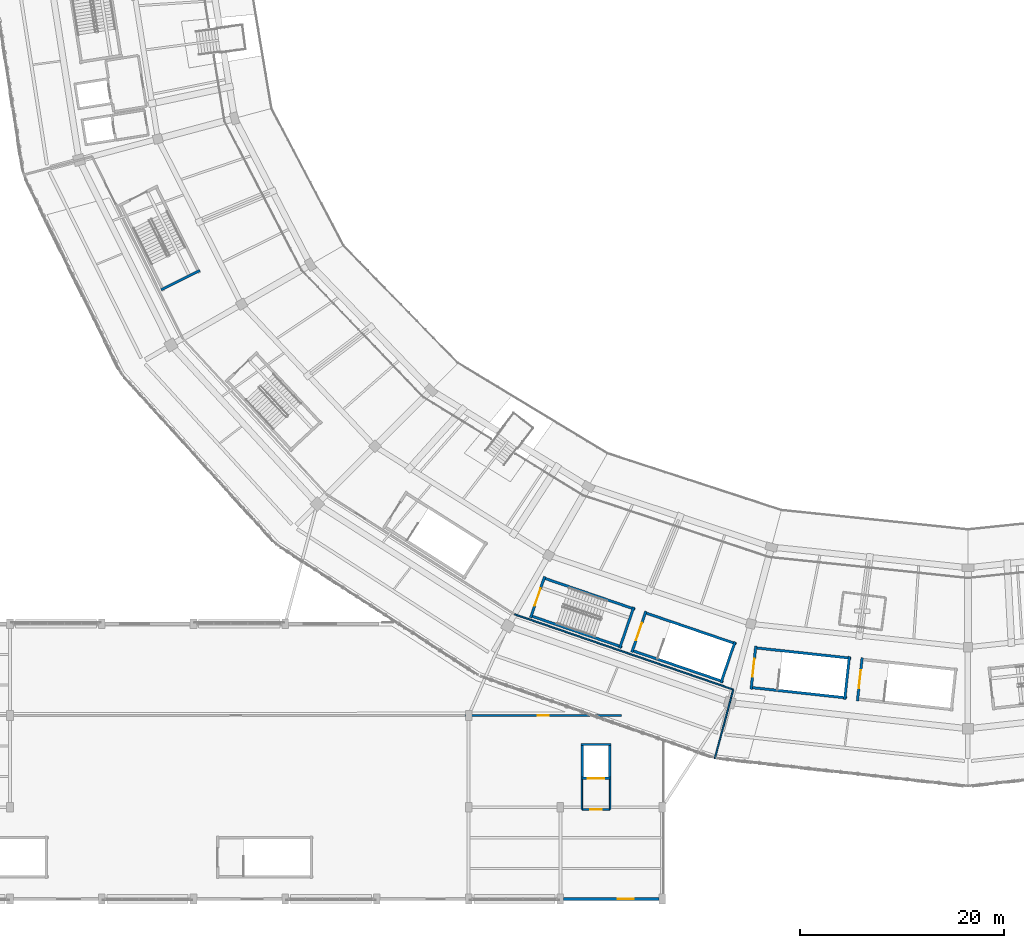
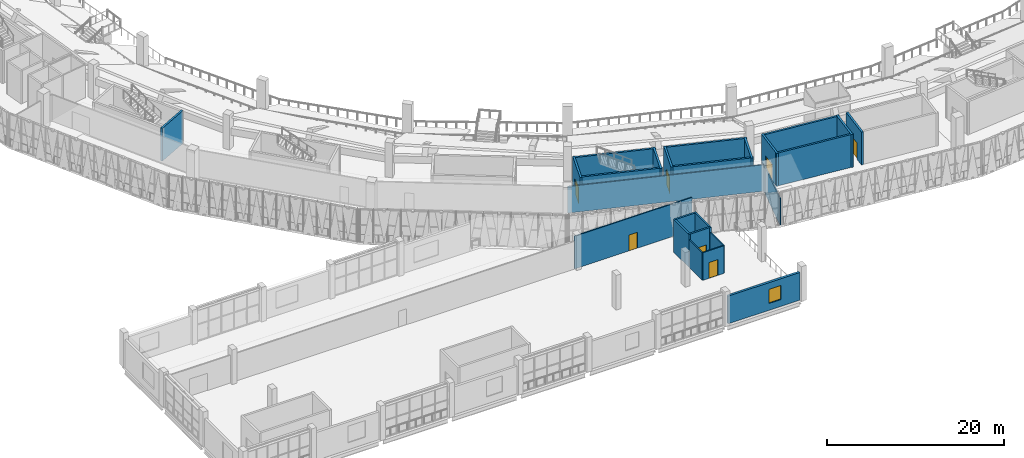
# One storey, part 91 of 152: 26 walls, 7 doors, 1 window, 8 openings.
"""IFC4 building model written with IfcOpenShell, lengths in metres."""

from ifc_helpers import new_model, si_unit, direction, frame, frame_2d, origin, place, context, subcontext, project, spatial, rectangle, extrude, material, layer, layer_set, type_object, element, fill, save


model = new_model("IFC4")

# Units and contexts
model_context = context("Model", 3, precision=1e-05, world=origin(), true_north=direction((0.0, 1.0)))
body_context = subcontext(model_context, "Body", "Model", "MODEL_VIEW")
ifc_project = project(units=[si_unit("LENGTHUNIT", "METRE"), si_unit("AREAUNIT", "SQUARE_METRE"), si_unit("VOLUMEUNIT", "CUBIC_METRE"), si_unit("PLANEANGLEUNIT", "RADIAN"), si_unit("MASSUNIT", "GRAM", prefix="KILO")], contexts=[model_context])

# Site, building, storey
site_placement = place(None, origin())
site = spatial("IfcSite", under=ifc_project, at=site_placement, CompositionType="ELEMENT")
building_placement = place(site_placement, origin())
building = spatial("IfcBuilding", under=site, at=building_placement, Name="Zevraka Park Crest Stadium", CompositionType="ELEMENT")
storey_placement = place(building_placement, frame((0.0, 0.0, 15.0)))
storey = spatial("IfcBuildingStorey", under=building, at=storey_placement, Name="L03", CompositionType="ELEMENT", Elevation=15.0)

# Wall, opening, window
ifc_material_1 = material(Name="Limestone and red clay brick masonry", Category="masonry")
ifc_layer_1 = layer(ifc_material_1, 0.300048828125)
ifc_layer_set_1 = layer_set([ifc_layer_1], Name="Limestone and red clay brick masonry")
wall_type_1 = type_object("IfcWallType", Name="EW02", PredefinedType="STANDARD", material=ifc_layer_set_1)
wall_1_placement = place(storey_placement, frame((81.699951171875, 0.0, 0.0), z_axis=(0.0, 0.0, 1.0), x_axis=(-1.0, 0.0, 0.0)))
wall_1 = element("IfcWall", 1, at=wall_1_placement, inside=storey, type_object=wall_type_1, Name="Wing External Cavity Wall EW02 L03-SW-S3-1", PredefinedType="STANDARD", context=body_context, shape_type="SweptSolid", body=[
    extrude(rectangle(XDim=9.39990234375, YDim=0.300048828125, at=frame_2d((4.699951171875, 0.0))), origin(), (0.0, 0.0, 1.0), 3.823486328125),
])
opening_1_placement = place(wall_1_placement, frame((2.514892578125, 0.0, 0.949951171875)))
opening_1 = element("IfcOpeningElement", 2, at=opening_1_placement, cuts=wall_1, Name="Opening WN32", PredefinedType="OPENING", context=body_context, shape_type="SweptSolid", body=[
    extrude(rectangle(XDim=1.550048828125, YDim=1.949951171875, at=frame_2d((0.77490234375, 0.97509765625))), frame((0.0, 0.159912109375, 0.0), z_axis=(0.0, -1.0, 0.0), x_axis=(1.0, 0.0, 0.0)), (0.0, 0.0, 1.0), 0.320068359375),
])
ifc_material_2 = material(Name="Solar-control laminated double glazing in aluminium frame", Category="aluminium")
window_type = type_object("IfcWindowType", Name="WN32", PartitioningType="SINGLE_PANEL", PredefinedType="WINDOW", material=ifc_material_2)
window_placement = place(opening_1_placement, origin())
window = element("IfcWindow", 3, at=window_placement, inside=storey, type_object=window_type, Name="Facade Casement Window WN32 W-L03-073", OverallHeight=1.949951171875, OverallWidth=1.550048828125, PartitioningType="SINGLE_PANEL", PredefinedType="WINDOW", context=body_context, shape_type="SweptSolid", body=[
    extrude(rectangle(XDim=1.550048828125, YDim=1.949951171875, at=frame_2d((0.77490234375, 0.97509765625))), frame((0.0, 0.030029296875, 0.0), z_axis=(0.0, -1.0, 0.0), x_axis=(1.0, 0.0, 0.0)), (0.0, 0.0, 1.0), 0.06005859375),
])
fill(opening_1, window)

# Walls
ifc_material_3 = material(Name="Fire-rated twin-stud acoustic drywall", Category="other")
ifc_layer_2 = layer(ifc_material_3, 0.159912109375)
ifc_layer_set_2 = layer_set([ifc_layer_2], Name="Fire-rated twin-stud acoustic drywall")
wall_type_2 = type_object("IfcWallType", Name="IW02", PredefinedType="PARTITIONING", material=ifc_layer_set_2)
for number, where, z_axis, x_axis, name in (
    (4, (74.110107421875, 11.75, 0.0), (0.0, 0.0, 1.0), (0.0, -1.0, 0.0), "Goods Lift Lobby Wall IW02 GL02 L03 LEFT"),
    (5, (76.889892578125, 11.75, 0.0), (0.0, 0.0, 1.0), (0.0, -1.0, 0.0), "Goods Lift Lobby Wall IW02 GL02 L03 RIGHT"),
):
    element("IfcWall", number, at=place(storey_placement, frame(where, z_axis=z_axis, x_axis=x_axis)), inside=storey, type_object=wall_type_2, Name=name, PredefinedType="PARTITIONING", context=body_context, shape_type="SweptSolid", body=[
        extrude(rectangle(XDim=2.969970703125, YDim=0.159912109375, at=frame_2d((1.48486328125, 0.0))), origin(), (0.0, 0.0, 1.0), 3.823486328125),
    ])

# Wall, opening, door
wall_2_placement = place(storey_placement, frame((74.110107421875, 8.780029296875, 0.0), z_axis=(0.0, 0.0, 1.0), x_axis=(1.0, 0.0, 0.0)))
wall_2 = element("IfcWall", 6, at=wall_2_placement, inside=storey, type_object=wall_type_2, Name="Goods Lift Lobby Wall IW02 GL02 L03 FRONT", PredefinedType="PARTITIONING", context=body_context, shape_type="SweptSolid", body=[
    extrude(rectangle(XDim=2.77978515625, YDim=0.159912109375, at=frame_2d((1.389892578125, 0.0))), origin(), (0.0, 0.0, 1.0), 3.823486328125),
])
opening_2_placement = place(wall_2_placement, frame((0.81494140625, 0.0, 0.0)))
opening_2 = element("IfcOpeningElement", 7, at=opening_2_placement, cuts=wall_2, Name="Opening D-L03-336", PredefinedType="OPENING", context=body_context, shape_type="SweptSolid", body=[
    extrude(rectangle(XDim=1.14990234375, YDim=2.199951171875, at=frame_2d((0.574951171875, 1.10009765625))), frame((0.0, 0.08984375, 0.0), z_axis=(0.0, -1.0, 0.0), x_axis=(1.0, 0.0, 0.0)), (0.0, 0.0, 1.0), 0.179931640625),
])
ifc_material_4 = material(Name="Solid-core hardwood timber leaf in steel frame", Category="steel")
door_type_1 = type_object("IfcDoorType", Name="DR03", OperationType="NOTDEFINED", PredefinedType="DOOR", material=ifc_material_4)
door_1_placement = place(opening_2_placement, origin())
door_1 = element("IfcDoor", 8, at=door_1_placement, inside=storey, type_object=door_type_1, Name="Goods Lift Lobby GL02 Door D-L03-336", OperationType="SINGLE_SWING_RIGHT", OverallHeight=2.199951171875, OverallWidth=1.14990234375, PredefinedType="DOOR", context=body_context, shape_type="SweptSolid", body=[
    extrude(rectangle(XDim=1.14990234375, YDim=2.199951171875, at=frame_2d((0.574951171875, 1.10009765625))), frame((0.0, 0.02490234375, 0.0), z_axis=(0.0, -1.0, 0.0), x_axis=(1.0, 0.0, 0.0)), (0.0, 0.0, 1.0), 0.050048828125),
])
fill(opening_2, door_1)

# Walls
ifc_material_5 = material(Name="Fire-rated twin-stud acoustic drywall", Category="other")
ifc_layer_3 = layer(ifc_material_5, 0.139892578125)
ifc_layer_set_3 = layer_set([ifc_layer_3], Name="Fire-rated twin-stud acoustic drywall")
wall_type_3 = type_object("IfcWallType", Name="IW03", PredefinedType="PARTITIONING", material=ifc_layer_set_3)
wall_3_placement = place(storey_placement, frame((67.510009765625, 27.930908203125, 0.0), z_axis=(0.0, 0.0, 1.0), x_axis=(0.945509956828, -0.32559318411, 0.0)))
element("IfcWall", 9, at=wall_3_placement, inside=storey, type_object=wall_type_3, Name="Interior Partition IW03 Sensory Inclusion Viewing Lounge L03", PredefinedType="PARTITIONING", context=body_context, shape_type="SweptSolid", body=[
    extrude(rectangle(XDim=22.69677734375, YDim=0.139892578125, at=frame_2d((11.348388671875, 0.0))), origin(), (0.0, 0.0, 1.0), 3.6650390625),
])
wall_4_placement = place(storey_placement, frame((88.969970703125, 20.541015625, 0.0), z_axis=(0.0, 0.0, 1.0), x_axis=(-0.259313795023, -0.965793122626, 0.0)))
element("IfcWall", 10, at=wall_4_placement, inside=storey, type_object=wall_type_3, Name="Interior Partition IW03 Sensory Inclusion Viewing Lounge L03", PredefinedType="PARTITIONING", context=body_context, shape_type="SweptSolid", body=[
    extrude(rectangle(XDim=0.8095703125, YDim=0.139892578125, at=frame_2d((0.40478515625, 0.0))), origin(), (0.0, 0.0, 1.0), 3.6650390625),
])
wall_5_placement = place(storey_placement, frame((88.763916015625, 19.77392578125, 0.0), z_axis=(0.0, 0.0, 1.0), x_axis=(-0.258731511659, -0.965949276554, 0.0)))
element("IfcWall", 11, at=wall_5_placement, inside=storey, type_object=wall_type_3, Name="Interior Partition IW03 Sensory Inclusion Viewing Lounge L03", PredefinedType="PARTITIONING", context=body_context, shape_type="SweptSolid", body=[
    extrude(rectangle(XDim=6.225830078125, YDim=0.139892578125, at=frame_2d((3.11279296875, 0.0))), origin(), (0.0, 0.0, 1.0), 3.6650390625),
])

# Wall, opening, door
ifc_material_6 = material(Name="Fire-rated twin-stud acoustic drywall", Category="other")
ifc_layer_4 = layer(ifc_material_6, 0.14990234375)
ifc_layer_set_4 = layer_set([ifc_layer_4], Name="Fire-rated twin-stud acoustic drywall")
wall_type_4 = type_object("IfcWallType", Name="IW05", PredefinedType="PARTITIONING", material=ifc_layer_set_4)
wall_6_placement = place(storey_placement, frame((62.675048828125, 18.0, 0.0), z_axis=(0.0, 0.0, 1.0), x_axis=(1.0, 0.0, 0.0)))
wall_6 = element("IfcWall", 12, at=wall_6_placement, inside=storey, type_object=wall_type_4, Name="Interior Partition IW05 South Upper Broadcast Production Gallery L03", PredefinedType="PARTITIONING", context=body_context, shape_type="SweptSolid", body=[
    extrude(rectangle(XDim=15.324951171875, YDim=0.14990234375, at=frame_2d((7.66259765625, 0.0))), origin(), (0.0, 0.0, 1.0), 4.52001953125),
])
opening_3_placement = place(wall_6_placement, frame((7.123046875, 0.0, 0.0)))
opening_3 = element("IfcOpeningElement", 13, at=opening_3_placement, cuts=wall_6, Name="Opening D-L03-464", PredefinedType="OPENING", context=body_context, shape_type="SweptSolid", body=[
    extrude(rectangle(XDim=1.080078125, YDim=2.199951171875, at=frame_2d((0.5400390625, 1.10009765625))), frame((0.0, 0.0849609375, 0.0), z_axis=(0.0, -1.0, 0.0), x_axis=(1.0, 0.0, 0.0)), (0.0, 0.0, 1.0), 0.169921875),
])
ifc_material_7 = material(Name="Solid-core hardwood timber leaf in steel frame", Category="steel")
door_type_2 = type_object("IfcDoorType", Name="DR22", OperationType="NOTDEFINED", PredefinedType="DOOR", material=ifc_material_7)
door_2_placement = place(opening_3_placement, origin())
door_2 = element("IfcDoor", 14, at=door_2_placement, inside=storey, type_object=door_type_2, Name="South Upper Broadcast Production Gallery Door D-L03-464", OperationType="SINGLE_SWING_RIGHT", OverallHeight=2.199951171875, OverallWidth=1.080078125, PredefinedType="DOOR", context=body_context, shape_type="SweptSolid", body=[
    extrude(rectangle(XDim=1.080078125, YDim=2.199951171875, at=frame_2d((0.5400390625, 1.10009765625))), frame((0.0, 0.02490234375, 0.0), z_axis=(0.0, -1.0, 0.0), x_axis=(1.0, 0.0, 0.0)), (0.0, 0.0, 1.0), 0.050048828125),
])
fill(opening_3, door_2)

# Walls
ifc_material_8 = material(Name="Concrete C40/50", Category="concrete")
ifc_layer_5 = layer(ifc_material_8, 0.25)
ifc_layer_set_5 = layer_set([ifc_layer_5], Name="Concrete C40/50")
wall_type_5 = type_object("IfcWallType", Name="SW01", PredefinedType="SHEAR", material=ifc_layer_set_5)
wall_7_placement = place(storey_placement, frame((32.828125, 59.776611328125, 0.0), z_axis=(0.0, 0.0, 1.0), x_axis=(0.89409454548, 0.447878268888, 0.0)))
element("IfcWall", 15, at=wall_7_placement, inside=storey, type_object=wall_type_5, Name="Stair Core Shear Wall SW01 ST14 L03 far", PredefinedType="SHEAR", context=body_context, shape_type="SweptSolid", body=[
    extrude(rectangle(XDim=4.260009765625, YDim=0.25, at=frame_2d((2.1298828125, 0.0))), origin(), (0.0, 0.0, 1.0), 4.5400390625),
])
for number, where, z_axis, x_axis, name in (
    (16, (69.023681640625, 27.809326171875, 0.0), (0.0, 0.0, 1.0), (0.946064424228, -0.323978556712, 0.0), "Stair Core Shear Wall SW01 ST17 L03 left"),
    (17, (79.328369140625, 28.423828125, 0.0), (0.0, 0.0, 1.0), (-0.946064424228, 0.323978556712, 0.0), "Stair Core Shear Wall SW01 ST17 L03 right"),
):
    element("IfcWall", number, at=place(storey_placement, frame(where, z_axis=z_axis, x_axis=x_axis)), inside=storey, type_object=wall_type_5, Name=name, PredefinedType="SHEAR", context=body_context, shape_type="SweptSolid", body=[
        extrude(rectangle(XDim=9.550048828125, YDim=0.25, at=frame_2d((4.77490234375, 0.0))), origin(), (0.0, 0.0, 1.0), 4.5400390625),
    ])

# Wall, opening, door
wall_8_placement = place(storey_placement, frame((70.466796875, 31.63818359375, 0.0), z_axis=(0.0, 0.0, 1.0), x_axis=(-0.323971192516, -0.946066946056, 0.0)))
wall_8 = element("IfcWall", 18, at=wall_8_placement, inside=storey, type_object=wall_type_5, Name="Stair Core Shear Wall SW01 ST17 L03 near", PredefinedType="SHEAR", context=body_context, shape_type="SweptSolid", body=[
    extrude(rectangle(XDim=4.260009765625, YDim=0.25, at=frame_2d((2.1298828125, 0.0))), origin(), (0.0, 0.0, 1.0), 4.5400390625),
])
opening_4_placement = place(wall_8_placement, frame((1.22998046875, 0.0, 0.0)))
opening_4 = element("IfcOpeningElement", 19, at=opening_4_placement, cuts=wall_8, Name="Opening D-L03-102", PredefinedType="OPENING", context=body_context, shape_type="SweptSolid", body=[
    extrude(rectangle(XDim=1.800048828125, YDim=2.25, at=frame_2d((0.89990234375, 1.125))), frame((0.0, 0.135009765625, 0.0), z_axis=(0.0, -1.0, 0.0), x_axis=(1.0, 0.0, 0.0)), (0.0, 0.0, 1.0), 0.27001953125),
])
ifc_material_9 = material(Name="Solid-core hardwood timber leaf in steel frame", Category="steel")
door_type_3 = type_object("IfcDoorType", Name="DR04", OperationType="NOTDEFINED", PredefinedType="DOOR", material=ifc_material_9)
door_3_placement = place(opening_4_placement, origin())
door_3 = element("IfcDoor", 20, at=door_3_placement, inside=storey, type_object=door_type_3, Name="Protected Stair Entry Door ST17 L03", OperationType="DOUBLE_DOOR_SINGLE_SWING", OverallHeight=2.25, OverallWidth=1.800048828125, PredefinedType="DOOR", context=body_context, shape_type="SweptSolid", body=[
    extrude(rectangle(XDim=1.800048828125, YDim=2.25, at=frame_2d((0.89990234375, 1.125))), frame((0.0, 0.02490234375, 0.0), z_axis=(0.0, -1.0, 0.0), x_axis=(1.0, 0.0, 0.0)), (0.0, 0.0, 1.0), 0.050048828125),
])
fill(opening_4, door_3)

# Walls
wall_9_placement = place(storey_placement, frame((77.828369140625, 24.614501953125, 0.0), z_axis=(0.0, 0.0, 1.0), x_axis=(0.323971192516, 0.946066946056, 0.0)))
element("IfcWall", 21, at=wall_9_placement, inside=storey, type_object=wall_type_5, Name="Stair Core Shear Wall SW01 ST17 L03 far", PredefinedType="SHEAR", context=body_context, shape_type="SweptSolid", body=[
    extrude(rectangle(XDim=4.260009765625, YDim=0.25, at=frame_2d((2.1298828125, 0.0))), origin(), (0.0, 0.0, 1.0), 4.5400390625),
])
for number, where, z_axis, x_axis, name in (
    (22, (90.61474609375, 20.756591796875, 0.0), (0.0, 0.0, 1.0), (0.994127555169, -0.108214620337, 0.0), "Stair Core Shear Wall SW01 ST18 L03 left"),
    (23, (100.532958984375, 23.6201171875, 0.0), (0.0, 0.0, 1.0), (-0.994127555169, 0.108214620337, 0.0), "Stair Core Shear Wall SW01 ST18 L03 right"),
):
    element("IfcWall", number, at=place(storey_placement, frame(where, z_axis=z_axis, x_axis=x_axis)), inside=storey, type_object=wall_type_5, Name=name, PredefinedType="SHEAR", context=body_context, shape_type="SweptSolid", body=[
        extrude(rectangle(XDim=9.550048828125, YDim=0.25, at=frame_2d((4.77490234375, 0.0))), origin(), (0.0, 0.0, 1.0), 4.5400390625),
    ])

# Wall, opening, door
wall_10_placement = place(storey_placement, frame((91.181640625, 24.80908203125, 0.0), z_axis=(0.0, 0.0, 1.0), x_axis=(-0.108198315262, -0.994129329903, 0.0)))
wall_10 = element("IfcWall", 24, at=wall_10_placement, inside=storey, type_object=wall_type_5, Name="Stair Core Shear Wall SW01 ST18 L03 near", PredefinedType="SHEAR", context=body_context, shape_type="SweptSolid", body=[
    extrude(rectangle(XDim=4.260009765625, YDim=0.25, at=frame_2d((2.1298828125, 0.0))), origin(), (0.0, 0.0, 1.0), 4.5400390625),
])
opening_5_placement = place(wall_10_placement, frame((1.22998046875, 0.0, 0.0)))
opening_5 = element("IfcOpeningElement", 25, at=opening_5_placement, cuts=wall_10, Name="Opening D-L03-108", PredefinedType="OPENING", context=body_context, shape_type="SweptSolid", body=[
    extrude(rectangle(XDim=1.800048828125, YDim=2.25, at=frame_2d((0.89990234375, 1.125))), frame((0.0, 0.135009765625, 0.0), z_axis=(0.0, -1.0, 0.0), x_axis=(1.0, 0.0, 0.0)), (0.0, 0.0, 1.0), 0.27001953125),
])
door_4_placement = place(opening_5_placement, origin())
door_4 = element("IfcDoor", 26, at=door_4_placement, inside=storey, type_object=door_type_3, Name="Protected Stair Entry Door ST18 L03", OperationType="DOUBLE_DOOR_SINGLE_SWING", OverallHeight=2.25, OverallWidth=1.800048828125, PredefinedType="DOOR", context=body_context, shape_type="SweptSolid", body=[
    extrude(rectangle(XDim=1.800048828125, YDim=2.25, at=frame_2d((0.89990234375, 1.125))), frame((0.0, 0.02490234375, 0.0), z_axis=(0.0, -1.0, 0.0), x_axis=(1.0, 0.0, 0.0)), (0.0, 0.0, 1.0), 0.050048828125),
])
fill(opening_5, door_4)

# Walls
wall_11_placement = place(storey_placement, frame((99.906494140625, 19.573974609375, 0.0), z_axis=(0.0, 0.0, 1.0), x_axis=(0.108198315262, 0.994129329903, 0.0)))
element("IfcWall", 27, at=wall_11_placement, inside=storey, type_object=wall_type_5, Name="Stair Core Shear Wall SW01 ST18 L03 far", PredefinedType="SHEAR", context=body_context, shape_type="SweptSolid", body=[
    extrude(rectangle(XDim=4.260009765625, YDim=0.25, at=frame_2d((2.1298828125, 0.0))), origin(), (0.0, 0.0, 1.0), 4.5400390625),
])
wall_12_placement = place(storey_placement, frame((78.95751953125, 24.408203125, 0.0), z_axis=(0.0, 0.0, 1.0), x_axis=(0.946072259645, -0.323955675256, 0.0)))
element("IfcWall", 28, at=wall_12_placement, inside=storey, type_object=wall_type_5, Name="Stair Core Shear Wall SW01 ST29 L03 left", PredefinedType="SHEAR", context=body_context, shape_type="SweptSolid", body=[
    extrude(rectangle(XDim=9.5498046875, YDim=0.25, at=frame_2d((4.77490234375, 0.0))), origin(), (0.0, 0.0, 1.0), 4.5400390625),
])
wall_13_placement = place(storey_placement, frame((89.262451171875, 25.02294921875, 0.0), z_axis=(0.0, 0.0, 1.0), x_axis=(-0.946064424228, 0.323978556712, 0.0)))
element("IfcWall", 29, at=wall_13_placement, inside=storey, type_object=wall_type_5, Name="Stair Core Shear Wall SW01 ST29 L03 right", PredefinedType="SHEAR", context=body_context, shape_type="SweptSolid", body=[
    extrude(rectangle(XDim=9.550048828125, YDim=0.25, at=frame_2d((4.77490234375, 0.0))), origin(), (0.0, 0.0, 1.0), 4.5400390625),
])

# Wall, opening, door
wall_14_placement = place(storey_placement, frame((80.40087890625, 28.2373046875, 0.0), z_axis=(0.0, 0.0, 1.0), x_axis=(-0.323971192516, -0.946066946056, 0.0)))
wall_14 = element("IfcWall", 30, at=wall_14_placement, inside=storey, type_object=wall_type_5, Name="Stair Core Shear Wall SW01 ST29 L03 near", PredefinedType="SHEAR", context=body_context, shape_type="SweptSolid", body=[
    extrude(rectangle(XDim=4.260009765625, YDim=0.25, at=frame_2d((2.1298828125, 0.0))), origin(), (0.0, 0.0, 1.0), 4.5400390625),
])
opening_6_placement = place(wall_14_placement, frame((1.22998046875, 0.0, 0.0)))
opening_6 = element("IfcOpeningElement", 31, at=opening_6_placement, cuts=wall_14, Name="Opening D-L03-169", PredefinedType="OPENING", context=body_context, shape_type="SweptSolid", body=[
    extrude(rectangle(XDim=1.800048828125, YDim=2.25, at=frame_2d((0.89990234375, 1.125))), frame((0.0, 0.135009765625, 0.0), z_axis=(0.0, -1.0, 0.0), x_axis=(1.0, 0.0, 0.0)), (0.0, 0.0, 1.0), 0.27001953125),
])
door_5_placement = place(opening_6_placement, origin())
door_5 = element("IfcDoor", 32, at=door_5_placement, inside=storey, type_object=door_type_3, Name="Protected Stair Entry Door ST29 L03", OperationType="DOUBLE_DOOR_SINGLE_SWING", OverallHeight=2.25, OverallWidth=1.800048828125, PredefinedType="DOOR", context=body_context, shape_type="SweptSolid", body=[
    extrude(rectangle(XDim=1.800048828125, YDim=2.25, at=frame_2d((0.89990234375, 1.125))), frame((0.0, 0.02490234375, 0.0), z_axis=(0.0, -1.0, 0.0), x_axis=(1.0, 0.0, 0.0)), (0.0, 0.0, 1.0), 0.050048828125),
])
fill(opening_6, door_5)

# Wall
wall_15_placement = place(storey_placement, frame((87.762451171875, 21.21337890625, 0.0), z_axis=(0.0, 0.0, 1.0), x_axis=(0.323971192516, 0.946066946056, 0.0)))
element("IfcWall", 33, at=wall_15_placement, inside=storey, type_object=wall_type_5, Name="Stair Core Shear Wall SW01 ST29 L03 far", PredefinedType="SHEAR", context=body_context, shape_type="SweptSolid", body=[
    extrude(rectangle(XDim=4.260009765625, YDim=0.25, at=frame_2d((2.1298828125, 0.0))), origin(), (0.0, 0.0, 1.0), 4.5400390625),
])

# Wall, opening, door
wall_16_placement = place(storey_placement, frame((101.61962890625, 23.673095703125, 0.0), z_axis=(0.0, 0.0, 1.0), x_axis=(-0.108198315262, -0.994129329903, 0.0)))
wall_16 = element("IfcWall", 34, at=wall_16_placement, inside=storey, type_object=wall_type_5, Name="Stair Core Shear Wall SW01 ST30 L03 near", PredefinedType="SHEAR", context=body_context, shape_type="SweptSolid", body=[
    extrude(rectangle(XDim=4.260009765625, YDim=0.25, at=frame_2d((2.1298828125, 0.0))), origin(), (0.0, 0.0, 1.0), 4.5400390625),
])
opening_7_placement = place(wall_16_placement, frame((1.22998046875, 0.0, 0.0)))
opening_7 = element("IfcOpeningElement", 35, at=opening_7_placement, cuts=wall_16, Name="Opening D-L03-174", PredefinedType="OPENING", context=body_context, shape_type="SweptSolid", body=[
    extrude(rectangle(XDim=1.800048828125, YDim=2.25, at=frame_2d((0.89990234375, 1.125))), frame((0.0, 0.135009765625, 0.0), z_axis=(0.0, -1.0, 0.0), x_axis=(1.0, 0.0, 0.0)), (0.0, 0.0, 1.0), 0.27001953125),
])
door_6_placement = place(opening_7_placement, origin())
door_6 = element("IfcDoor", 36, at=door_6_placement, inside=storey, type_object=door_type_3, Name="Protected Stair Entry Door ST30 L03", OperationType="DOUBLE_DOOR_SINGLE_SWING", OverallHeight=2.25, OverallWidth=1.800048828125, PredefinedType="DOOR", context=body_context, shape_type="SweptSolid", body=[
    extrude(rectangle(XDim=1.800048828125, YDim=2.25, at=frame_2d((0.89990234375, 1.125))), frame((0.0, 0.02490234375, 0.0), z_axis=(0.0, -1.0, 0.0), x_axis=(1.0, 0.0, 0.0)), (0.0, 0.0, 1.0), 0.050048828125),
])
fill(opening_7, door_6)

ifc_material_10 = material(Name="Concrete C40/50", Category="concrete")
ifc_layer_6 = layer(ifc_material_10, 0.219970703125)
ifc_layer_set_6 = layer_set([ifc_layer_6], Name="Concrete C40/50")
wall_type_6 = type_object("IfcWallType", Name="SW02", PredefinedType="SHEAR", material=ifc_layer_set_6)
wall_17_placement = place(storey_placement, frame((74.030029296875, 11.840087890625, 0.0), z_axis=(0.0, 0.0, 1.0), x_axis=(1.0, 0.0, 0.0)))
wall_17 = element("IfcWall", 37, at=wall_17_placement, inside=storey, type_object=wall_type_6, Name="Lift Shaft Shear Wall SW02 GL02 L03-1", PredefinedType="SHEAR", context=body_context, shape_type="SweptSolid", body=[
    extrude(rectangle(XDim=2.93994140625, YDim=0.219970703125, at=frame_2d((1.469970703125, 0.0))), origin(), (0.0, 0.0, 1.0), 4.5400390625),
])
opening_8_placement = place(wall_17_placement, frame((0.669921875, 0.0, 0.0)))
opening_8 = element("IfcOpeningElement", 38, at=opening_8_placement, cuts=wall_17, Name="Opening LD-GL02-L03", PredefinedType="OPENING", context=body_context, shape_type="SweptSolid", body=[
    extrude(rectangle(XDim=1.60009765625, YDim=2.300048828125, at=frame_2d((0.800048828125, 1.14990234375))), frame((0.0, 0.119873046875, 0.0), z_axis=(0.0, -1.0, 0.0), x_axis=(1.0, 0.0, 0.0)), (0.0, 0.0, 1.0), 0.239990234375),
])
ifc_material_11 = material(Name="Brushed stainless steel lift landing doors", Category="steel")
door_type_4 = type_object("IfcDoorType", Name="LD03", OperationType="NOTDEFINED", PredefinedType="DOOR", material=ifc_material_11)
door_7_placement = place(opening_8_placement, origin())
door_7 = element("IfcDoor", 39, at=door_7_placement, inside=storey, type_object=door_type_4, Name="Lift Sliding Landing Door LD-GL02-L03", OperationType="SLIDING_TO_LEFT", OverallHeight=2.300048828125, OverallWidth=1.60009765625, PredefinedType="DOOR", context=body_context, shape_type="SweptSolid", body=[
    extrude(rectangle(XDim=1.60009765625, YDim=2.300048828125, at=frame_2d((0.800048828125, 1.14990234375))), frame((0.0, 0.02490234375, 0.0), z_axis=(0.0, -1.0, 0.0), x_axis=(1.0, 0.0, 0.0)), (0.0, 0.0, 1.0), 0.050048828125),
])
fill(opening_8, door_7)

# Walls
wall_18_placement = place(storey_placement, frame((76.860107421875, 11.72998046875, 0.0), z_axis=(0.0, 0.0, 1.0), x_axis=(0.0, 1.0, 0.0)))
element("IfcWall", 40, at=wall_18_placement, inside=storey, type_object=wall_type_6, Name="Lift Shaft Shear Wall SW02 GL02 L03-2", PredefinedType="SHEAR", context=body_context, shape_type="SweptSolid", body=[
    extrude(rectangle(XDim=3.5400390625, YDim=0.219970703125, at=frame_2d((1.77001953125, 0.0))), origin(), (0.0, 0.0, 1.0), 4.5400390625),
])
wall_19_placement = place(storey_placement, frame((76.969970703125, 15.159912109375, 0.0), z_axis=(0.0, 0.0, 1.0), x_axis=(-1.0, 0.0, 0.0)))
element("IfcWall", 41, at=wall_19_placement, inside=storey, type_object=wall_type_6, Name="Lift Shaft Shear Wall SW02 GL02 L03-3", PredefinedType="SHEAR", context=body_context, shape_type="SweptSolid", body=[
    extrude(rectangle(XDim=2.93994140625, YDim=0.219970703125, at=frame_2d((1.469970703125, 0.0))), origin(), (0.0, 0.0, 1.0), 4.5400390625),
])
wall_20_placement = place(storey_placement, frame((74.139892578125, 15.27001953125, 0.0), z_axis=(0.0, 0.0, 1.0), x_axis=(0.0, -1.0, 0.0)))
element("IfcWall", 42, at=wall_20_placement, inside=storey, type_object=wall_type_6, Name="Lift Shaft Shear Wall SW02 GL02 L03-4", PredefinedType="SHEAR", context=body_context, shape_type="SweptSolid", body=[
    extrude(rectangle(XDim=3.5400390625, YDim=0.219970703125, at=frame_2d((1.77001953125, 0.0))), origin(), (0.0, 0.0, 1.0), 4.5400390625),
])

save(model, "model.ifc")
